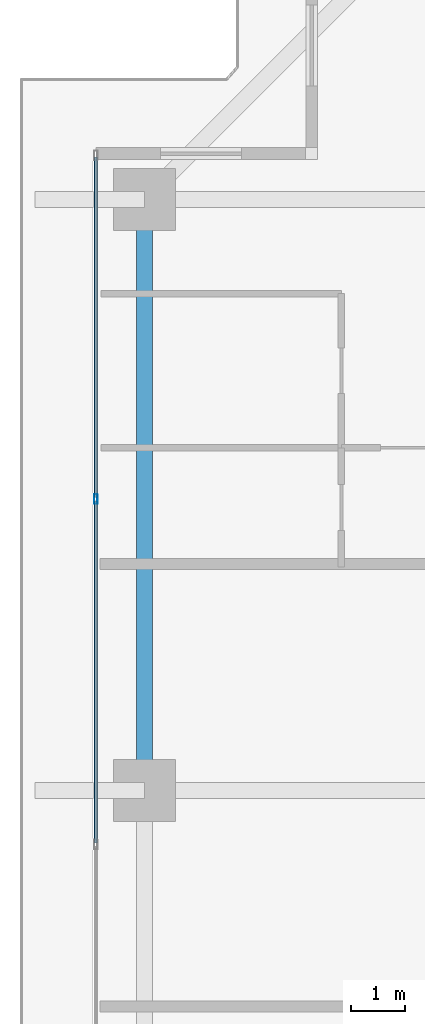
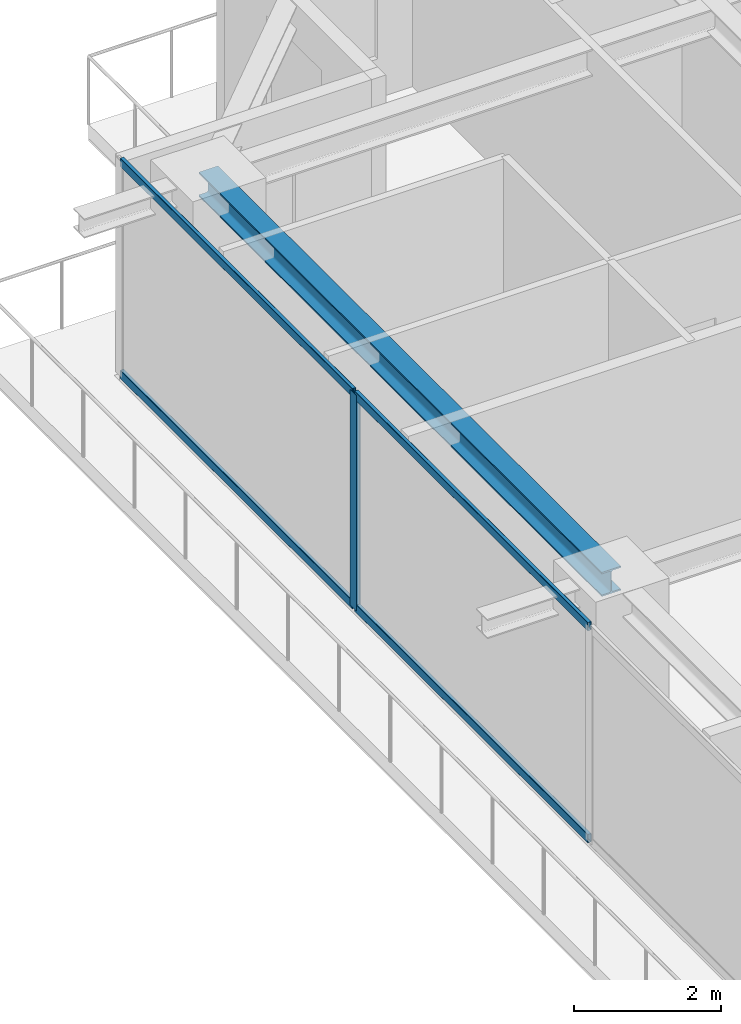
# One storey, part 16 of 38: 5 members, 1 beam, 1 element without a shape of its own.
"""IFC4 building model written with IfcOpenShell, lengths in metres."""

import ifcopenshell
import ifcopenshell.guid

model = None  # the IFC model being written
_history = None  # IfcOwnerHistory: only IFC2X3 demands one
_inside = {}  # id of a spatial element -> (the spatial element, [elements in it])
_under = {}  # id of a project, library or spatial element -> (it, [spatial elements below it])
_declared = {}  # id of a project -> (the project, [libraries it declares])
_typed = {}  # id of a type object -> (the type object, [elements of that type])
_made_of = {}  # id of a material, layer set ... -> (it, [elements and type objects made of it])


def new_model(schema):
    """Start an empty IFC model of exactly this schema.

    Asked for "IFC4X3", IfcOpenShell would pick the latest addendum, in which some entities
    have other attributes; the version numbers below select the first issue.
    IFC2X3 requires an IfcOwnerHistory on every rooted entity: one is made here for all.
    """
    global model, _history
    if schema == "IFC4X3":
        model = ifcopenshell.file(schema_version=(4, 3, 0, 0))
    else:
        model = ifcopenshell.file(schema=schema)
    _inside.clear()
    _under.clear()
    _declared.clear()
    _typed.clear()
    _made_of.clear()
    _history = None
    if model.schema == "IFC2X3":
        org = make("IfcOrganization", Name="unknown")
        user = make(
            "IfcPersonAndOrganization",
            ThePerson=make("IfcPerson", FamilyName="unknown"),
            TheOrganization=org,
        )
        app = make(
            "IfcApplication",
            ApplicationDeveloper=org,
            Version="unknown",
            ApplicationFullName="unknown",
            ApplicationIdentifier="unknown",
        )
        _history = make(
            "IfcOwnerHistory",
            OwningUser=user,
            OwningApplication=app,
            ChangeAction="ADDED",
            CreationDate=0,
        )
    return model


def make(cls, **values):
    """One entity of the class cls with the attributes given. An attribute that is None is left unset."""
    return model.create_entity(
        cls, **{name: value for name, value in values.items() if value is not None}
    )


def rooted(cls, **values):
    """An entity with a GlobalId (a new one), such as an element, a storey or a relation."""
    return make(cls, GlobalId=ifcopenshell.guid.new(), OwnerHistory=_history, **values)


def si_unit(unit_type, name, prefix=None):
    """IfcSIUnit, for example si_unit("LENGTHUNIT", "METRE", prefix="MILLI")."""
    return make("IfcSIUnit", UnitType=unit_type, Prefix=prefix, Name=name)


def assignment(units):
    """IfcUnitAssignment: the units of a project."""
    return None if units is None else make("IfcUnitAssignment", Units=units)


def point(xyz):
    """IfcCartesianPoint."""
    return None if xyz is None else make("IfcCartesianPoint", Coordinates=xyz)


def direction(xyz):
    """IfcDirection."""
    return None if xyz is None else make("IfcDirection", DirectionRatios=xyz)


def frame(location, z_axis=None, x_axis=None):
    """IfcAxis2Placement3D, a coordinate frame: its origin and axes. An axis left out is left unset."""
    return make(
        "IfcAxis2Placement3D",
        Location=point(location),
        Axis=direction(z_axis),
        RefDirection=direction(x_axis),
    )


def frame_2d(location, x_axis=None):
    """IfcAxis2Placement2D, a coordinate frame in the plane: its origin and x axis."""
    return make(
        "IfcAxis2Placement2D", Location=point(location), RefDirection=direction(x_axis)
    )


def origin():
    """The frame at (0, 0, 0) with its axes left unset."""
    return frame((0.0, 0.0, 0.0))


def origin_2d():
    """The frame at (0, 0) in the plane with its x axis left unset."""
    return frame_2d((0.0, 0.0))


def place(relative_to, where):
    """IfcLocalPlacement: puts the frame where relative to a parent placement (None: the world)."""
    return make(
        "IfcLocalPlacement", PlacementRelTo=relative_to, RelativePlacement=where
    )


def context(
    kind, dimensions, precision=None, world=None, true_north=None, identifier=None
):
    """IfcGeometricRepresentationContext, for example the 3D "Model" context."""
    return make(
        "IfcGeometricRepresentationContext",
        ContextIdentifier=identifier,
        ContextType=kind,
        CoordinateSpaceDimension=dimensions,
        Precision=precision,
        WorldCoordinateSystem=world,
        TrueNorth=true_north,
    )


def subcontext(parent, identifier, kind, view, scale=None):
    """IfcGeometricRepresentationSubContext, for example "Body" below "Model"."""
    return make(
        "IfcGeometricRepresentationSubContext",
        ContextIdentifier=identifier,
        ContextType=kind,
        ParentContext=parent,
        TargetScale=scale,
        TargetView=view,
    )


def project(units=None, contexts=None):
    """IfcProject with its units and contexts."""
    return rooted(
        "IfcProject",
        Name="project",
        RepresentationContexts=contexts,
        UnitsInContext=assignment(units),
    )


def spatial(cls, under=None, at=None, **own):
    """A site, building, storey or space (cls), placed at a placement, below another one or the project."""
    s = rooted(cls, ObjectPlacement=at, **own)
    if under is not None:
        _under.setdefault(under.id(), (under, []))[1].append(s)
    return s


def profile(cls, at=None, kind="AREA", **sizes):
    """A parametric profile (cls). Its sizes go by their IFC names, for example OverallWidth=200.0."""
    return make(cls, ProfileType=kind, Position=at, **sizes)


def hollow_rectangle(**sizes):
    """IfcRectangleHollowProfileDef."""
    return profile("IfcRectangleHollowProfileDef", **sizes)


def i_section(**sizes):
    """IfcIShapeProfileDef."""
    return profile("IfcIShapeProfileDef", **sizes)


def extrude(swept, where, along, depth):
    """IfcExtrudedAreaSolid: the profile swept, set in the frame where, extruded along a direction by depth."""
    return make(
        "IfcExtrudedAreaSolid",
        SweptArea=swept,
        Position=where,
        ExtrudedDirection=direction(along),
        Depth=depth,
    )


def shape(context_of_items, identifier, shape_type, items):
    """IfcShapeRepresentation: the items that make up one representation, for example the "Body"."""
    return make(
        "IfcShapeRepresentation",
        ContextOfItems=context_of_items,
        RepresentationIdentifier=identifier,
        RepresentationType=shape_type,
        Items=items,
    )


def source(mapping_origin, context_of_items, identifier, shape_type, items):
    """IfcRepresentationMap: a shape defined once, which mapped items show again and again."""
    return make(
        "IfcRepresentationMap",
        MappingOrigin=mapping_origin,
        MappedRepresentation=shape(context_of_items, identifier, shape_type, items),
    )


def transform(
    local_origin,
    x_axis=None,
    y_axis=None,
    z_axis=None,
    scale=None,
    scale2=None,
    scale3=None,
    uniform=True,
):
    """IfcCartesianTransformationOperator3D, or its non-uniform kind. x_axis, y_axis, z_axis: its Axis1, 2, 3."""
    if uniform:
        return make(
            "IfcCartesianTransformationOperator3D",
            Axis1=direction(x_axis),
            Axis2=direction(y_axis),
            LocalOrigin=point(local_origin),
            Scale=scale,
            Axis3=direction(z_axis),
        )
    return make(
        "IfcCartesianTransformationOperator3DnonUniform",
        Axis1=direction(x_axis),
        Axis2=direction(y_axis),
        LocalOrigin=point(local_origin),
        Scale=scale,
        Axis3=direction(z_axis),
        Scale2=scale2,
        Scale3=scale3,
    )


def mapped(mapping_source, mapping_target):
    """IfcMappedItem: shows the shape of a source again, moved by a transform."""
    return make(
        "IfcMappedItem", MappingSource=mapping_source, MappingTarget=mapping_target
    )


def material(Name=None, Category=None):
    """IfcMaterial."""
    return make("IfcMaterial", Name=Name, Category=Category)


def layer(
    of_material, thickness, ventilated=None, Name=None, Category=None, Priority=None
):
    """IfcMaterialLayer: one layer of a wall or slab, of a material (None: an air gap)."""
    return make(
        "IfcMaterialLayer",
        Material=of_material,
        LayerThickness=thickness,
        IsVentilated=ventilated,
        Name=Name,
        Category=Category,
        Priority=Priority,
    )


def layer_set(layers, Name=None):
    """IfcMaterialLayerSet."""
    return make("IfcMaterialLayerSet", MaterialLayers=layers, LayerSetName=Name)


def material_profile(
    of_material, cross_section, Name=None, Category=None, Priority=None
):
    """IfcMaterialProfile: a cross section and its material."""
    return make(
        "IfcMaterialProfile",
        Name=Name,
        Material=of_material,
        Profile=cross_section,
        Priority=Priority,
        Category=Category,
    )


def profile_set(profiles, Name=None, composite=None):
    """IfcMaterialProfileSet."""
    return make(
        "IfcMaterialProfileSet",
        Name=Name,
        MaterialProfiles=profiles,
        CompositeProfile=composite,
    )


def made_of(thing, what):
    """Note that an element or type object is made of a material, layer set ...; save() writes the relation."""
    if what is not None:
        _made_of.setdefault(what.id(), (what, []))[1].append(thing)
    return thing


def type_object(cls, material=None, **own):
    """A type object (cls), such as IfcWallType, which elements share."""
    return made_of(rooted(cls, **own), material)


def element(
    cls,
    number,
    at=None,
    inside=None,
    cuts=None,
    type_object=None,
    material=None,
    context=None,
    identifier="Body",
    shape_type=None,
    held_by="IfcProductDefinitionShape",
    body=None,
    shapes=None,
    **own,
):
    """One element of the class cls, such as IfcWall. Its Tag is "e" and its number.

    at: its placement. inside: the storey or other place that contains it. cuts: it is an
    opening in that element (IfcRelVoidsElement). A single representation is given by context,
    identifier, shape_type and body (its items); several are given by shapes. held_by: the class
    of the entity that holds the representations. save() writes the other relations.
    """
    e = rooted(cls, Tag="e%d" % number, ObjectPlacement=at, **own)
    if body is not None:
        shapes = [shape(context, identifier, shape_type, body)]
    if shapes is not None:
        e.Representation = make(held_by, Representations=shapes)
    if inside is not None:
        _inside.setdefault(inside.id(), (inside, []))[1].append(e)
    if cuts is not None:
        rooted(
            "IfcRelVoidsElement", RelatingBuildingElement=cuts, RelatedOpeningElement=e
        )
    if type_object is not None:
        _typed.setdefault(type_object.id(), (type_object, []))[1].append(e)
    return made_of(e, material)


def aggregate(whole, parts):
    """IfcRelAggregates: a whole, such as a stair, and the parts it consists of."""
    return rooted("IfcRelAggregates", RelatingObject=whole, RelatedObjects=parts)


def save(model, path):
    """Write the relations noted so far, then the file.

    IfcRelAggregates (storeys below a building ...), IfcRelContainedInSpatialStructure (elements
    in a storey), IfcRelDefinesByType, IfcRelAssociatesMaterial and IfcRelDeclares: one each for
    every whole, place, type object, material and project.
    """
    for whole, parts in _under.values():
        aggregate(whole, parts)
    for where, things in _inside.values():
        rooted(
            "IfcRelContainedInSpatialStructure",
            RelatedElements=things,
            RelatingStructure=where,
        )
    for kind, things in _typed.values():
        rooted("IfcRelDefinesByType", RelatedObjects=things, RelatingType=kind)
    for what, things in _made_of.values():
        rooted("IfcRelAssociatesMaterial", RelatedObjects=things, RelatingMaterial=what)
    for by, libraries in _declared.values():
        rooted("IfcRelDeclares", RelatingContext=by, RelatedDefinitions=libraries)
    model.write(path)


model = new_model("IFC4")

# Units and contexts
model_context = context("Model", 3, precision=1e-05, world=origin(), true_north=direction((0.0, 1.0)))
body_context = subcontext(model_context, "Body", "Model", "MODEL_VIEW")
ifc_project = project(units=[si_unit("LENGTHUNIT", "METRE"), si_unit("AREAUNIT", "SQUARE_METRE"), si_unit("VOLUMEUNIT", "CUBIC_METRE"), si_unit("PLANEANGLEUNIT", "RADIAN"), si_unit("MASSUNIT", "GRAM", prefix="KILO")], contexts=[model_context])

# Site, building, storey
site_placement = place(None, origin())
site = spatial("IfcSite", under=ifc_project, at=site_placement, CompositionType="ELEMENT")
building_placement = place(site_placement, origin())
building = spatial("IfcBuilding", under=site, at=building_placement, Name="Serunith Strait Residences", CompositionType="ELEMENT")
storey_placement = place(building_placement, frame((0.0, 0.0, 229.699951171875)))
storey = spatial("IfcBuildingStorey", under=building, at=storey_placement, Name="L57", CompositionType="ELEMENT", Elevation=229.699951171875)

# Beam
ifc_material_1 = material(Name="Steel S355J2", Category="steel")
ifc_material_profile_1 = material_profile(ifc_material_1, i_section(OverallWidth=0.300048828125, OverallDepth=0.39990234375, WebThickness=0.013427734375, FlangeThickness=0.02392578125, FilletRadius=0.027099609375, at=origin_2d()), Name="HEB 400")
ifc_profile_set_1 = profile_set([ifc_material_profile_1], Name="Steel S355J2")
beam_type = type_object("IfcBeamType", Name="BM-HEB400", PredefinedType="BEAM", material=ifc_profile_set_1)
shared_shape_1 = source(origin(), body_context, "Body", "SweptSolid", [
    extrude(i_section(OverallWidth=0.300048828125, OverallDepth=0.39990234375, WebThickness=0.013427734375, FlangeThickness=0.02392578125, FilletRadius=0.027099609375, at=origin_2d()), origin(), (0.0, 0.0, 1.0), 10.9501953125),
])
beam_placement = place(storey_placement, frame((8.300048828125, 40.35009765625, 3.386962890625), z_axis=(0.0, -1.0, 0.0), x_axis=(1.0, 0.0, 0.0)))
element("IfcBeam", 1, at=beam_placement, inside=storey, type_object=beam_type, Name="L57 Perimeter Ring Beam 13", PredefinedType="BEAM", context=body_context, shape_type="MappedRepresentation", body=[
    mapped(shared_shape_1, transform((0.0, 0.0, 0.0), scale=1.0)),
])

# Curtain wall, members
ifc_material_2 = material(Name="Pale-Champagne Anodised Aluminium", Category="aluminium")
ifc_layer = layer(ifc_material_2, 0.199951171875, Name="Pale-Champagne Anodised Aluminium")
ifc_layer_set = layer_set([ifc_layer], Name="Pale-Champagne Anodised Aluminium")
curtain_wall_type = type_object("IfcCurtainWallType", Name="CW-SYS4", PredefinedType="NOTDEFINED", material=ifc_layer_set)
curtain_wall_placement = place(storey_placement, origin())
curtain_wall = element("IfcCurtainWall", 2, at=curtain_wall_placement, inside=storey, type_object=curtain_wall_type, Name="L57 W Unitised Fritted Curtain Wall", PredefinedType="NOTDEFINED")
ifc_material_profile_2 = material_profile(ifc_material_2, hollow_rectangle(XDim=0.06494140625, YDim=0.179931640625, WallThickness=0.00341796875, InnerFilletRadius=0.00537109375, OuterFilletRadius=0.0087890625, at=origin_2d()), Name="ALU 180x65x3.5")
ifc_profile_set_2 = profile_set([ifc_material_profile_2], Name="Pale-Champagne Anodised Aluminium")
member_type_1 = type_object("IfcMemberType", Name="CW-SYS4-MULL", PredefinedType="MULLION", material=ifc_profile_set_2)
shared_shape_2 = source(origin(), body_context, "Body", "SweptSolid", [
    extrude(hollow_rectangle(XDim=0.06494140625, YDim=0.179931640625, WallThickness=0.00341796875, InnerFilletRadius=0.00537109375, OuterFilletRadius=0.0087890625, at=origin_2d()), origin(), (0.0, 0.0, 1.0), 3.574951171875),
])
member_1_placement = place(storey_placement, frame((7.39990234375, 34.800048828125, 0.0), z_axis=(0.0, 0.0, 1.0), x_axis=(1.0, 0.0, 0.0)))
member_1 = element("IfcMember", 3, at=member_1_placement, type_object=member_type_1, Name="CW-4 mullion 2", PredefinedType="MULLION", context=body_context, shape_type="MappedRepresentation", body=[
    mapped(shared_shape_2, transform((0.0, 0.0, 0.0), scale=1.0)),
])
ifc_material_profile_3 = material_profile(ifc_material_2, hollow_rectangle(XDim=0.06005859375, YDim=0.139892578125, WallThickness=0.00341796875, InnerFilletRadius=0.00537109375, OuterFilletRadius=0.0087890625, at=origin_2d()), Name="ALU 140x60x3.5")
ifc_profile_set_3 = profile_set([ifc_material_profile_3], Name="Pale-Champagne Anodised Aluminium")
member_type_2 = type_object("IfcMemberType", Name="CW-SYS4-TRAN", PredefinedType="USERDEFINED", material=ifc_profile_set_3)
shared_shape_3 = source(origin(), body_context, "Body", "SweptSolid", [
    extrude(hollow_rectangle(XDim=0.06005859375, YDim=0.139892578125, WallThickness=0.00341796875, InnerFilletRadius=0.00537109375, OuterFilletRadius=0.0087890625, at=origin_2d()), origin(), (0.0, 0.0, 1.0), 6.302490234375),
])
member_2_placement = place(storey_placement, frame((7.39990234375, 41.135009765625, 0.030029296875), z_axis=(0.0, -1.0, 0.0), x_axis=(1.0, 0.0, 0.0)))
member_2 = element("IfcMember", 4, at=member_2_placement, type_object=member_type_2, Name="CW-4 transom 1.1", ObjectType="TRANSOM", PredefinedType="USERDEFINED", context=body_context, shape_type="MappedRepresentation", body=[
    mapped(shared_shape_3, transform((0.0, 0.0, 0.0), scale=1.0)),
])
member_3_placement = place(storey_placement, frame((7.39990234375, 41.135009765625, 3.545166015625), z_axis=(0.0, -1.0, 0.0), x_axis=(1.0, 0.0, 0.0)))
member_3 = element("IfcMember", 5, at=member_3_placement, type_object=member_type_2, Name="CW-4 transom 1.2", ObjectType="TRANSOM", PredefinedType="USERDEFINED", context=body_context, shape_type="MappedRepresentation", body=[
    mapped(shared_shape_3, transform((0.0, 0.0, 0.0), scale=1.0)),
])
shared_shape_4 = source(origin(), body_context, "Body", "SweptSolid", [
    extrude(hollow_rectangle(XDim=0.06005859375, YDim=0.139892578125, WallThickness=0.00341796875, InnerFilletRadius=0.00537109375, OuterFilletRadius=0.0087890625, at=origin_2d()), origin(), (0.0, 0.0, 1.0), 6.3349609375),
])
member_4_placement = place(storey_placement, frame((7.39990234375, 34.767578125, 0.030029296875), z_axis=(0.0, -1.0, 0.0), x_axis=(1.0, 0.0, 0.0)))
member_4 = element("IfcMember", 6, at=member_4_placement, type_object=member_type_2, Name="CW-4 transom 2.1", ObjectType="TRANSOM", PredefinedType="USERDEFINED", context=body_context, shape_type="MappedRepresentation", body=[
    mapped(shared_shape_4, transform((0.0, 0.0, 0.0), scale=1.0)),
])
member_5_placement = place(storey_placement, frame((7.39990234375, 34.767578125, 3.545166015625), z_axis=(0.0, -1.0, 0.0), x_axis=(1.0, 0.0, 0.0)))
member_5 = element("IfcMember", 7, at=member_5_placement, type_object=member_type_2, Name="CW-4 transom 2.2", ObjectType="TRANSOM", PredefinedType="USERDEFINED", context=body_context, shape_type="MappedRepresentation", body=[
    mapped(shared_shape_4, transform((0.0, 0.0, 0.0), scale=1.0)),
])
aggregate(curtain_wall, [member_1, member_2, member_3, member_4, member_5])

save(model, "model.ifc")
